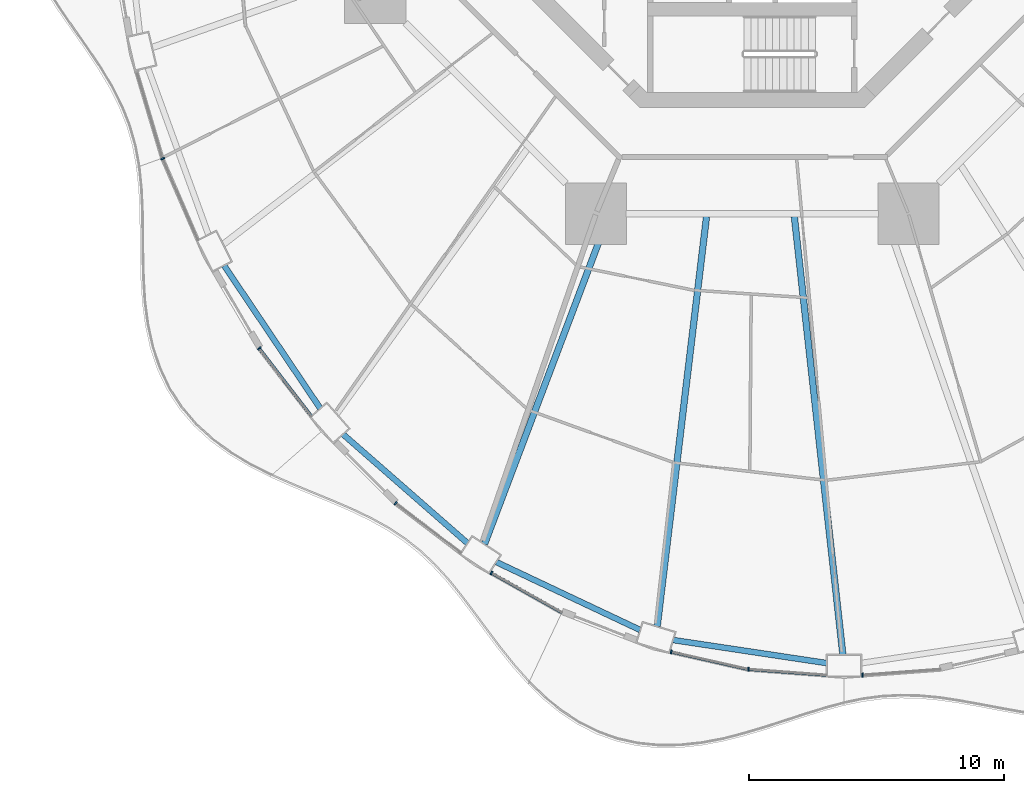
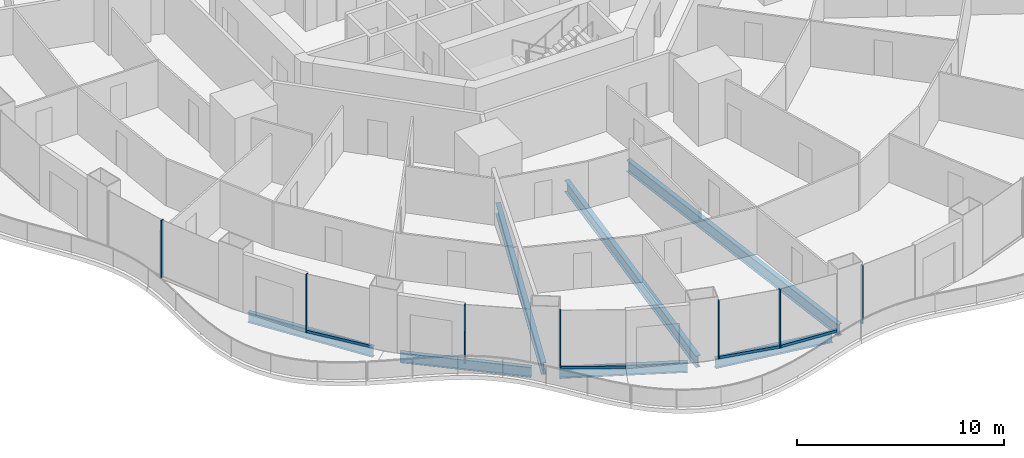
# One storey, part 2 of 22: 11 members, 7 beams, 7 elements without a shape of their own.
"""IFC4 building model written with IfcOpenShell, lengths in metres."""

import ifcopenshell
import ifcopenshell.guid

model = None  # the IFC model being written
_history = None  # IfcOwnerHistory: only IFC2X3 demands one
_inside = {}  # id of a spatial element -> (the spatial element, [elements in it])
_under = {}  # id of a project, library or spatial element -> (it, [spatial elements below it])
_declared = {}  # id of a project -> (the project, [libraries it declares])
_typed = {}  # id of a type object -> (the type object, [elements of that type])
_made_of = {}  # id of a material, layer set ... -> (it, [elements and type objects made of it])


def new_model(schema):
    """Start an empty IFC model of exactly this schema.

    Asked for "IFC4X3", IfcOpenShell would pick the latest addendum, in which some entities
    have other attributes; the version numbers below select the first issue.
    IFC2X3 requires an IfcOwnerHistory on every rooted entity: one is made here for all.
    """
    global model, _history
    if schema == "IFC4X3":
        model = ifcopenshell.file(schema_version=(4, 3, 0, 0))
    else:
        model = ifcopenshell.file(schema=schema)
    _inside.clear()
    _under.clear()
    _declared.clear()
    _typed.clear()
    _made_of.clear()
    _history = None
    if model.schema == "IFC2X3":
        org = make("IfcOrganization", Name="unknown")
        user = make(
            "IfcPersonAndOrganization",
            ThePerson=make("IfcPerson", FamilyName="unknown"),
            TheOrganization=org,
        )
        app = make(
            "IfcApplication",
            ApplicationDeveloper=org,
            Version="unknown",
            ApplicationFullName="unknown",
            ApplicationIdentifier="unknown",
        )
        _history = make(
            "IfcOwnerHistory",
            OwningUser=user,
            OwningApplication=app,
            ChangeAction="ADDED",
            CreationDate=0,
        )
    return model


def make(cls, **values):
    """One entity of the class cls with the attributes given. An attribute that is None is left unset."""
    return model.create_entity(
        cls, **{name: value for name, value in values.items() if value is not None}
    )


def rooted(cls, **values):
    """An entity with a GlobalId (a new one), such as an element, a storey or a relation."""
    return make(cls, GlobalId=ifcopenshell.guid.new(), OwnerHistory=_history, **values)


def si_unit(unit_type, name, prefix=None):
    """IfcSIUnit, for example si_unit("LENGTHUNIT", "METRE", prefix="MILLI")."""
    return make("IfcSIUnit", UnitType=unit_type, Prefix=prefix, Name=name)


def assignment(units):
    """IfcUnitAssignment: the units of a project."""
    return None if units is None else make("IfcUnitAssignment", Units=units)


def point(xyz):
    """IfcCartesianPoint."""
    return None if xyz is None else make("IfcCartesianPoint", Coordinates=xyz)


def direction(xyz):
    """IfcDirection."""
    return None if xyz is None else make("IfcDirection", DirectionRatios=xyz)


def frame(location, z_axis=None, x_axis=None):
    """IfcAxis2Placement3D, a coordinate frame: its origin and axes. An axis left out is left unset."""
    return make(
        "IfcAxis2Placement3D",
        Location=point(location),
        Axis=direction(z_axis),
        RefDirection=direction(x_axis),
    )


def frame_2d(location, x_axis=None):
    """IfcAxis2Placement2D, a coordinate frame in the plane: its origin and x axis."""
    return make(
        "IfcAxis2Placement2D", Location=point(location), RefDirection=direction(x_axis)
    )


def origin():
    """The frame at (0, 0, 0) with its axes left unset."""
    return frame((0.0, 0.0, 0.0))


def origin_2d():
    """The frame at (0, 0) in the plane with its x axis left unset."""
    return frame_2d((0.0, 0.0))


def place(relative_to, where):
    """IfcLocalPlacement: puts the frame where relative to a parent placement (None: the world)."""
    return make(
        "IfcLocalPlacement", PlacementRelTo=relative_to, RelativePlacement=where
    )


def context(
    kind, dimensions, precision=None, world=None, true_north=None, identifier=None
):
    """IfcGeometricRepresentationContext, for example the 3D "Model" context."""
    return make(
        "IfcGeometricRepresentationContext",
        ContextIdentifier=identifier,
        ContextType=kind,
        CoordinateSpaceDimension=dimensions,
        Precision=precision,
        WorldCoordinateSystem=world,
        TrueNorth=true_north,
    )


def subcontext(parent, identifier, kind, view, scale=None):
    """IfcGeometricRepresentationSubContext, for example "Body" below "Model"."""
    return make(
        "IfcGeometricRepresentationSubContext",
        ContextIdentifier=identifier,
        ContextType=kind,
        ParentContext=parent,
        TargetScale=scale,
        TargetView=view,
    )


def project(units=None, contexts=None):
    """IfcProject with its units and contexts."""
    return rooted(
        "IfcProject",
        Name="project",
        RepresentationContexts=contexts,
        UnitsInContext=assignment(units),
    )


def spatial(cls, under=None, at=None, **own):
    """A site, building, storey or space (cls), placed at a placement, below another one or the project."""
    s = rooted(cls, ObjectPlacement=at, **own)
    if under is not None:
        _under.setdefault(under.id(), (under, []))[1].append(s)
    return s


def profile(cls, at=None, kind="AREA", **sizes):
    """A parametric profile (cls). Its sizes go by their IFC names, for example OverallWidth=200.0."""
    return make(cls, ProfileType=kind, Position=at, **sizes)


def rectangle(**sizes):
    """IfcRectangleProfileDef."""
    return profile("IfcRectangleProfileDef", **sizes)


def i_section(**sizes):
    """IfcIShapeProfileDef."""
    return profile("IfcIShapeProfileDef", **sizes)


def extrude(swept, where, along, depth):
    """IfcExtrudedAreaSolid: the profile swept, set in the frame where, extruded along a direction by depth."""
    return make(
        "IfcExtrudedAreaSolid",
        SweptArea=swept,
        Position=where,
        ExtrudedDirection=direction(along),
        Depth=depth,
    )


def shape(context_of_items, identifier, shape_type, items):
    """IfcShapeRepresentation: the items that make up one representation, for example the "Body"."""
    return make(
        "IfcShapeRepresentation",
        ContextOfItems=context_of_items,
        RepresentationIdentifier=identifier,
        RepresentationType=shape_type,
        Items=items,
    )


def material(Name=None, Category=None):
    """IfcMaterial."""
    return make("IfcMaterial", Name=Name, Category=Category)


def layer(
    of_material, thickness, ventilated=None, Name=None, Category=None, Priority=None
):
    """IfcMaterialLayer: one layer of a wall or slab, of a material (None: an air gap)."""
    return make(
        "IfcMaterialLayer",
        Material=of_material,
        LayerThickness=thickness,
        IsVentilated=ventilated,
        Name=Name,
        Category=Category,
        Priority=Priority,
    )


def layer_set(layers, Name=None):
    """IfcMaterialLayerSet."""
    return make("IfcMaterialLayerSet", MaterialLayers=layers, LayerSetName=Name)


def material_profile(
    of_material, cross_section, Name=None, Category=None, Priority=None
):
    """IfcMaterialProfile: a cross section and its material."""
    return make(
        "IfcMaterialProfile",
        Name=Name,
        Material=of_material,
        Profile=cross_section,
        Priority=Priority,
        Category=Category,
    )


def profile_set(profiles, Name=None, composite=None):
    """IfcMaterialProfileSet."""
    return make(
        "IfcMaterialProfileSet",
        Name=Name,
        MaterialProfiles=profiles,
        CompositeProfile=composite,
    )


def made_of(thing, what):
    """Note that an element or type object is made of a material, layer set ...; save() writes the relation."""
    if what is not None:
        _made_of.setdefault(what.id(), (what, []))[1].append(thing)
    return thing


def type_object(cls, material=None, **own):
    """A type object (cls), such as IfcWallType, which elements share."""
    return made_of(rooted(cls, **own), material)


def element(
    cls,
    number,
    at=None,
    inside=None,
    cuts=None,
    type_object=None,
    material=None,
    context=None,
    identifier="Body",
    shape_type=None,
    held_by="IfcProductDefinitionShape",
    body=None,
    shapes=None,
    **own,
):
    """One element of the class cls, such as IfcWall. Its Tag is "e" and its number.

    at: its placement. inside: the storey or other place that contains it. cuts: it is an
    opening in that element (IfcRelVoidsElement). A single representation is given by context,
    identifier, shape_type and body (its items); several are given by shapes. held_by: the class
    of the entity that holds the representations. save() writes the other relations.
    """
    e = rooted(cls, Tag="e%d" % number, ObjectPlacement=at, **own)
    if body is not None:
        shapes = [shape(context, identifier, shape_type, body)]
    if shapes is not None:
        e.Representation = make(held_by, Representations=shapes)
    if inside is not None:
        _inside.setdefault(inside.id(), (inside, []))[1].append(e)
    if cuts is not None:
        rooted(
            "IfcRelVoidsElement", RelatingBuildingElement=cuts, RelatedOpeningElement=e
        )
    if type_object is not None:
        _typed.setdefault(type_object.id(), (type_object, []))[1].append(e)
    return made_of(e, material)


def aggregate(whole, parts):
    """IfcRelAggregates: a whole, such as a stair, and the parts it consists of."""
    return rooted("IfcRelAggregates", RelatingObject=whole, RelatedObjects=parts)


def save(model, path):
    """Write the relations noted so far, then the file.

    IfcRelAggregates (storeys below a building ...), IfcRelContainedInSpatialStructure (elements
    in a storey), IfcRelDefinesByType, IfcRelAssociatesMaterial and IfcRelDeclares: one each for
    every whole, place, type object, material and project.
    """
    for whole, parts in _under.values():
        aggregate(whole, parts)
    for where, things in _inside.values():
        rooted(
            "IfcRelContainedInSpatialStructure",
            RelatedElements=things,
            RelatingStructure=where,
        )
    for kind, things in _typed.values():
        rooted("IfcRelDefinesByType", RelatedObjects=things, RelatingType=kind)
    for what, things in _made_of.values():
        rooted("IfcRelAssociatesMaterial", RelatedObjects=things, RelatingMaterial=what)
    for by, libraries in _declared.values():
        rooted("IfcRelDeclares", RelatingContext=by, RelatedDefinitions=libraries)
    model.write(path)


model = new_model("IFC4")

# Units and contexts
model_context = context("Model", 3, precision=1e-05, world=origin(), true_north=direction((0.0, 1.0)))
body_context = subcontext(model_context, "Body", "Model", "MODEL_VIEW")
ifc_project = project(units=[si_unit("LENGTHUNIT", "METRE"), si_unit("AREAUNIT", "SQUARE_METRE"), si_unit("VOLUMEUNIT", "CUBIC_METRE"), si_unit("PLANEANGLEUNIT", "RADIAN"), si_unit("MASSUNIT", "GRAM", prefix="KILO")], contexts=[model_context])

# Site, building, storey
site_placement = place(None, origin())
site = spatial("IfcSite", under=ifc_project, at=site_placement, CompositionType="ELEMENT")
building_placement = place(site_placement, origin())
building = spatial("IfcBuilding", under=site, at=building_placement, Name="Nagisa Residences", CompositionType="ELEMENT")
storey_placement = place(building_placement, frame((0.0, 0.0, 30.699951171875)))
storey = spatial("IfcBuildingStorey", under=building, at=storey_placement, Name="L06", CompositionType="ELEMENT", Elevation=30.699951171875)

# Curtain wall, member
ifc_material_1 = material(Name="Concrete-coloured aluminium curtain wall system", Category="concrete")
ifc_layer = layer(ifc_material_1, 0.159912109375)
ifc_layer_set = layer_set([ifc_layer], Name="CW1 CURTAIN WALL")
curtain_wall_type = type_object("IfcCurtainWallType", Name="CW1 CURTAIN WALL", PredefinedType="NOTDEFINED", material=ifc_layer_set)
curtain_wall_1_placement = place(storey_placement, origin())
curtain_wall_1 = element("IfcCurtainWall", 1, at=curtain_wall_1_placement, inside=storey, type_object=curtain_wall_type, Name="cw:CW1:L06:27", PredefinedType="NOTDEFINED")
ifc_material_2 = material(Name="Concrete-coloured aluminium", Category="concrete")
ifc_material_profile_1 = material_profile(ifc_material_2, rectangle(XDim=0.159912109375, YDim=0.06005859375, at=origin_2d()), Name="CW1 MULLION 160x60")
ifc_profile_set_1 = profile_set([ifc_material_profile_1], Name="Concrete-coloured aluminium")
member_type_1 = type_object("IfcMemberType", Name="CW1 MULLION 160x60", PredefinedType="MULLION", material=ifc_profile_set_1)
member_1_placement = place(storey_placement, frame((-23.107177734375, -12.624267578125, 0.0), z_axis=(0.0, 0.0, 1.0), x_axis=(0.917543276295, 0.397635934147, 0.0)))
member_1 = element("IfcMember", 2, at=member_1_placement, type_object=member_type_1, Name="CW1 mullion", PredefinedType="MULLION", context=body_context, shape_type="SweptSolid", body=[
    extrude(rectangle(XDim=0.159912109375, YDim=0.06005859375, at=origin_2d()), origin(), (0.0, 0.0, 1.0), 3.43994140625),
])
aggregate(curtain_wall_1, [member_1])

curtain_wall_2_placement = place(storey_placement, origin())
curtain_wall_2 = element("IfcCurtainWall", 3, at=curtain_wall_2_placement, inside=storey, type_object=curtain_wall_type, Name="cw:CW1:L06:29", PredefinedType="NOTDEFINED")
member_2_placement = place(storey_placement, frame((-19.32568359375, -20.06396484375, 0.0), z_axis=(0.0, 0.0, 1.0), x_axis=(0.792070340816, 0.610429828235, 0.0)))
member_2 = element("IfcMember", 4, at=member_2_placement, type_object=member_type_1, Name="CW1 mullion", PredefinedType="MULLION", context=body_context, shape_type="SweptSolid", body=[
    extrude(rectangle(XDim=0.159912109375, YDim=0.06005859375, at=origin_2d()), origin(), (0.0, 0.0, 1.0), 3.43994140625),
])

curtain_wall_3_placement = place(storey_placement, origin())
curtain_wall_3 = element("IfcCurtainWall", 5, at=curtain_wall_3_placement, inside=storey, type_object=curtain_wall_type, Name="cw:CW1:L06:31", PredefinedType="NOTDEFINED")
member_3_placement = place(storey_placement, frame((-13.981689453125, -26.13525390625, 0.0), z_axis=(0.0, 0.0, 1.0), x_axis=(0.605255421737, 0.79603132756, 0.0)))
member_3 = element("IfcMember", 6, at=member_3_placement, type_object=member_type_1, Name="CW1 mullion", PredefinedType="MULLION", context=body_context, shape_type="SweptSolid", body=[
    extrude(rectangle(XDim=0.159912109375, YDim=0.06005859375, at=origin_2d()), origin(), (0.0, 0.0, 1.0), 3.43994140625),
])
aggregate(curtain_wall_3, [member_3])

curtain_wall_4_placement = place(storey_placement, origin())
curtain_wall_4 = element("IfcCurtainWall", 7, at=curtain_wall_4_placement, inside=storey, type_object=curtain_wall_type, Name="cw:CW1:L06:32", PredefinedType="NOTDEFINED")
member_4_placement = place(storey_placement, frame((-10.22412109375, -28.8662109375, 0.0), z_axis=(0.0, 0.0, 1.0), x_axis=(0.489376918501, 0.872072377523, 0.0)))
member_4 = element("IfcMember", 8, at=member_4_placement, type_object=member_type_1, Name="CW1 mullion", PredefinedType="MULLION", context=body_context, shape_type="SweptSolid", body=[
    extrude(rectangle(XDim=0.159912109375, YDim=0.06005859375, at=origin_2d()), origin(), (0.0, 0.0, 1.0), 3.43994140625),
])

curtain_wall_5_placement = place(storey_placement, origin())
curtain_wall_5 = element("IfcCurtainWall", 9, at=curtain_wall_5_placement, inside=storey, type_object=curtain_wall_type, Name="cw:CW1:L06:34", PredefinedType="NOTDEFINED")
member_5_placement = place(storey_placement, frame((-3.176025390625, -31.958740234375, 0.0), z_axis=(0.0, 0.0, 1.0), x_axis=(0.2207639201, 0.975327274089, 0.0)))
member_5 = element("IfcMember", 10, at=member_5_placement, type_object=member_type_1, Name="CW1 mullion", PredefinedType="MULLION", context=body_context, shape_type="SweptSolid", body=[
    extrude(rectangle(XDim=0.159912109375, YDim=0.06005859375, at=origin_2d()), origin(), (0.0, 0.0, 1.0), 3.43994140625),
])

curtain_wall_6_placement = place(storey_placement, origin())
curtain_wall_6 = element("IfcCurtainWall", 11, at=curtain_wall_6_placement, inside=storey, type_object=curtain_wall_type, Name="cw:CW1:L06:35", PredefinedType="NOTDEFINED")
member_6_placement = place(storey_placement, frame((-0.1494140625, -32.64013671875, 0.0), z_axis=(0.0, 0.0, 1.0), x_axis=(0.074377355493, 0.997230168512, 0.0)))
member_6 = element("IfcMember", 12, at=member_6_placement, type_object=member_type_1, Name="CW1 mullion", PredefinedType="MULLION", context=body_context, shape_type="SweptSolid", body=[
    extrude(rectangle(XDim=0.159912109375, YDim=0.06005859375, at=origin_2d()), origin(), (0.0, 0.0, 1.0), 3.43994140625),
])

curtain_wall_7_placement = place(storey_placement, origin())
curtain_wall_7 = element("IfcCurtainWall", 13, at=curtain_wall_7_placement, inside=storey, type_object=curtain_wall_type, Name="cw:CW1:L06:36", PredefinedType="NOTDEFINED")
member_7_placement = place(storey_placement, frame((4.322021484375, -32.865966796875, 0.0), z_axis=(0.0, 0.0, 1.0), x_axis=(-0.074377355493, 0.997230168512, 0.0)))
member_7 = element("IfcMember", 14, at=member_7_placement, type_object=member_type_1, Name="CW1 mullion", PredefinedType="MULLION", context=body_context, shape_type="SweptSolid", body=[
    extrude(rectangle(XDim=0.159912109375, YDim=0.06005859375, at=origin_2d()), origin(), (0.0, 0.0, 1.0), 3.43994140625),
])
aggregate(curtain_wall_7, [member_7])

# Member
ifc_material_3 = material(Name="Concrete-coloured aluminium", Category="concrete")
ifc_material_profile_2 = material_profile(ifc_material_3, rectangle(XDim=0.1201171875, YDim=0.14990234375, at=origin_2d()), Name="CW1 TRANSOM 120x150")
ifc_profile_set_2 = profile_set([ifc_material_profile_2], Name="Concrete-coloured aluminium")
member_type_2 = type_object("IfcMemberType", Name="CW1 TRANSOM 120x150", PredefinedType="USERDEFINED", material=ifc_profile_set_2)
member_8_placement = place(storey_placement, frame((-19.343994140625, -20.040283203125, 0.074951171875), z_axis=(0.610457147657, -0.792049285635, 0.0), x_axis=(0.792049285635, 0.610457147657, 0.0)))
member_8 = element("IfcMember", 15, at=member_8_placement, type_object=member_type_2, Name="CW1 transom", ObjectType="TRANSOM", PredefinedType="USERDEFINED", context=body_context, shape_type="SweptSolid", body=[
    extrude(rectangle(XDim=0.1201171875, YDim=0.14990234375, at=origin_2d()), origin(), (0.0, 0.0, 1.0), 3.3974609375),
])

aggregate(curtain_wall_2, [member_2, member_8])

member_9_placement = place(storey_placement, frame((-10.25048828125, -28.8515625, 0.074951171875), z_axis=(0.872070011948, -0.489381133946, 0.0), x_axis=(0.489381133946, 0.872070011948, 0.0)))
member_9 = element("IfcMember", 16, at=member_9_placement, type_object=member_type_2, Name="CW1 transom", ObjectType="TRANSOM", PredefinedType="USERDEFINED", context=body_context, shape_type="SweptSolid", body=[
    extrude(rectangle(XDim=0.1201171875, YDim=0.14990234375, at=origin_2d()), origin(), (0.0, 0.0, 1.0), 3.201171875),
])

aggregate(curtain_wall_4, [member_4, member_9])

member_10_placement = place(storey_placement, frame((-3.205322265625, -31.9521484375, 0.074951171875), z_axis=(0.97533495413, -0.220729987208, 0.0), x_axis=(0.220729987208, 0.97533495413, 0.0)))
member_10 = element("IfcMember", 17, at=member_10_placement, type_object=member_type_2, Name="CW1 transom", ObjectType="TRANSOM", PredefinedType="USERDEFINED", context=body_context, shape_type="SweptSolid", body=[
    extrude(rectangle(XDim=0.1201171875, YDim=0.14990234375, at=origin_2d()), origin(), (0.0, 0.0, 1.0), 3.11474609375),
])

aggregate(curtain_wall_5, [member_5, member_10])

member_11_placement = place(storey_placement, frame((-0.17919921875, -32.637939453125, 0.074951171875), z_axis=(0.997230834878, -0.074368420505, 0.0), x_axis=(0.074368420505, 0.997230834878, 0.0)))
member_11 = element("IfcMember", 18, at=member_11_placement, type_object=member_type_2, Name="CW1 transom", ObjectType="TRANSOM", PredefinedType="USERDEFINED", context=body_context, shape_type="SweptSolid", body=[
    extrude(rectangle(XDim=0.1201171875, YDim=0.14990234375, at=origin_2d()), origin(), (0.0, 0.0, 1.0), 3.095703125),
])

aggregate(curtain_wall_6, [member_6, member_11])

# Beams
ifc_material_4 = material(Name="Steel ASTM A572 Gr 50", Category="steel")
ifc_material_profile_3 = material_profile(ifc_material_4, i_section(OverallWidth=0.22802734375, OverallDepth=0.60302734375, WebThickness=0.010498046875, FlangeThickness=0.014892578125, at=origin_2d()), Name="W610x101")
ifc_profile_set_3 = profile_set([ifc_material_profile_3], Name="Steel ASTM A572 Gr 50")
beam_type_1 = type_object("IfcBeamType", Name="Perimeter ring beam W610x101", PredefinedType="BEAM", material=ifc_profile_set_3)
beam_1_placement = place(storey_placement, frame((-20.69921875, -16.818603515625, -0.5615234375), z_axis=(0.558296806041, -0.829641293792, 0.0), x_axis=(0.829641293792, 0.558296806041, 0.0)))
element("IfcBeam", 19, at=beam_1_placement, inside=storey, type_object=beam_type_1, Name="beam:L06:pb15", PredefinedType="BEAM", context=body_context, shape_type="SweptSolid", body=[
    extrude(i_section(OverallWidth=0.22802734375, OverallDepth=0.60302734375, WebThickness=0.010498046875, FlangeThickness=0.014892578125, at=origin_2d()), origin(), (0.0, 0.0, 1.0), 6.74169921875),
])
beam_2_placement = place(storey_placement, frame((-16.0361328125, -23.432861328125, -0.5615234375), z_axis=(0.752574357292, -0.658507279191, 0.0), x_axis=(0.658507279191, 0.752574357292, 0.0)))
element("IfcBeam", 20, at=beam_2_placement, inside=storey, type_object=beam_type_1, Name="beam:L06:pb16", PredefinedType="BEAM", context=body_context, shape_type="SweptSolid", body=[
    extrude(i_section(OverallWidth=0.22802734375, OverallDepth=0.60302734375, WebThickness=0.010498046875, FlangeThickness=0.014892578125, at=origin_2d()), origin(), (0.0, 0.0, 1.0), 6.47021484375),
])
beam_3_placement = place(storey_placement, frame((-10.02880859375, -28.439208984375, -0.5615234375), z_axis=(0.904208275867, -0.427091786216, 0.0), x_axis=(0.427091786216, 0.904208275867, 0.0)))
element("IfcBeam", 21, at=beam_3_placement, inside=storey, type_object=beam_type_1, Name="beam:L06:pb17", PredefinedType="BEAM", context=body_context, shape_type="SweptSolid", body=[
    extrude(i_section(OverallWidth=0.22802734375, OverallDepth=0.60302734375, WebThickness=0.010498046875, FlangeThickness=0.014892578125, at=origin_2d()), origin(), (0.0, 0.0, 1.0), 6.227294921875),
])
beam_4_placement = place(storey_placement, frame((-3.096435546875, -31.49462890625, -0.5615234375), z_axis=(0.988914559467, -0.14848566959, 0.0), x_axis=(0.14848566959, 0.988914559467, 0.0)))
element("IfcBeam", 22, at=beam_4_placement, inside=storey, type_object=beam_type_1, Name="beam:L06:pb18", PredefinedType="BEAM", context=body_context, shape_type="SweptSolid", body=[
    extrude(i_section(OverallWidth=0.22802734375, OverallDepth=0.60302734375, WebThickness=0.010498046875, FlangeThickness=0.014892578125, at=origin_2d()), origin(), (0.0, 0.0, 1.0), 6.08349609375),
])
ifc_material_5 = material(Name="Steel ASTM A572 Gr 50", Category="steel")
ifc_material_profile_4 = material_profile(ifc_material_5, i_section(OverallWidth=0.25390625, OverallDepth=0.68408203125, WebThickness=0.012451171875, FlangeThickness=0.018798828125, at=origin_2d()), Name="W690x140")
ifc_profile_set_4 = profile_set([ifc_material_profile_4], Name="Steel ASTM A572 Gr 50")
beam_type_2 = type_object("IfcBeamType", Name="Radial beam W690x140", PredefinedType="BEAM", material=ifc_profile_set_4)
beam_5_placement = place(storey_placement, frame((-10.493896484375, -27.7333984375, -0.60205078125), z_axis=(0.353887892206, 0.935287848606, 0.0), x_axis=(-0.935287848606, 0.353887892206, 0.0)))
element("IfcBeam", 23, at=beam_5_placement, inside=storey, type_object=beam_type_2, Name="beam:L06:rb17", PredefinedType="BEAM", context=body_context, shape_type="SweptSolid", body=[
    extrude(i_section(OverallWidth=0.25390625, OverallDepth=0.68408203125, WebThickness=0.012451171875, FlangeThickness=0.018798828125, at=origin_2d()), origin(), (0.0, 0.0, 1.0), 13.725830078125),
])
beam_6_placement = place(storey_placement, frame((-3.72412109375, -30.958740234375, -0.60205078125), z_axis=(0.119431411612, 0.992842453726, 0.0), x_axis=(-0.992842453726, 0.119431411612, 0.0)))
element("IfcBeam", 24, at=beam_6_placement, inside=storey, type_object=beam_type_2, Name="beam:L06:rb18", PredefinedType="BEAM", context=body_context, shape_type="SweptSolid", body=[
    extrude(i_section(OverallWidth=0.25390625, OverallDepth=0.68408203125, WebThickness=0.012451171875, FlangeThickness=0.018798828125, at=origin_2d()), origin(), (0.0, 0.0, 1.0), 16.1796875),
])
beam_7_placement = place(storey_placement, frame((3.55224609375, -32.06982421875, -0.60205078125), z_axis=(-0.110088818647, 0.993921753464, 0.0), x_axis=(-0.993921753464, -0.110088818647, 0.0)))
element("IfcBeam", 25, at=beam_7_placement, inside=storey, type_object=beam_type_2, Name="beam:L06:rb19", PredefinedType="BEAM", context=body_context, shape_type="SweptSolid", body=[
    extrude(i_section(OverallWidth=0.25390625, OverallDepth=0.68408203125, WebThickness=0.012451171875, FlangeThickness=0.018798828125, at=origin_2d()), origin(), (0.0, 0.0, 1.0), 17.280029296875),
])

save(model, "model.ifc")
